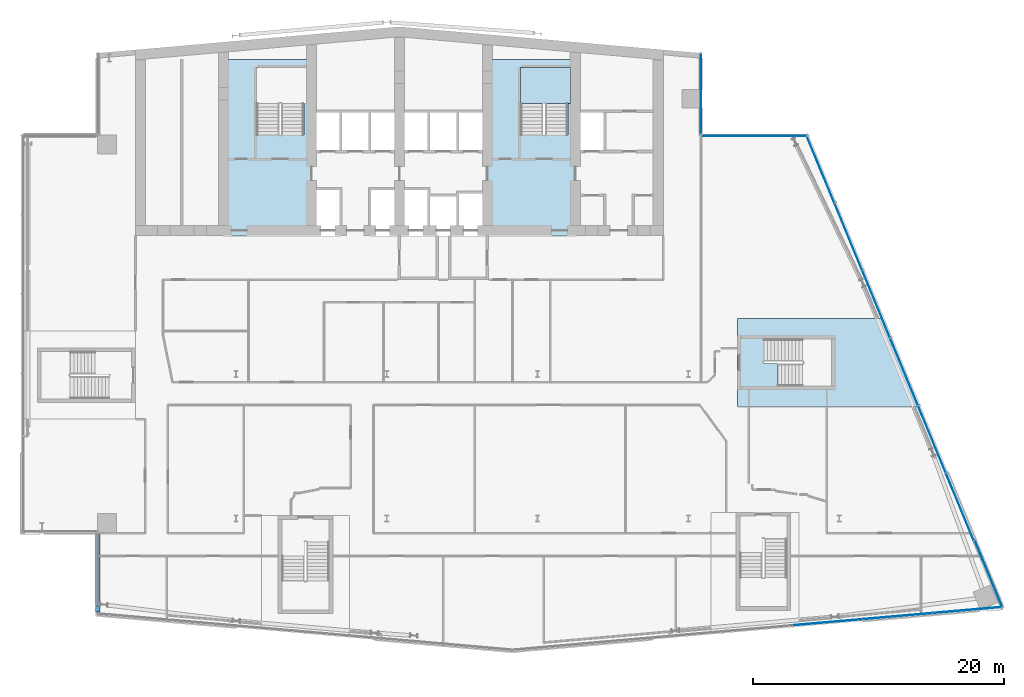
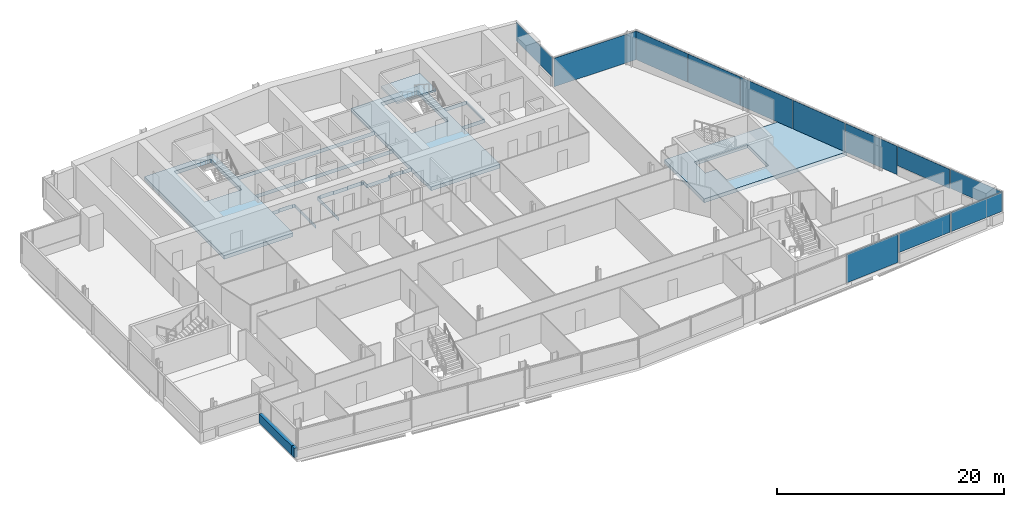
# One storey, part 14 of 24: 12 plates, 3 slabs, 2 walls, 5 elements without a shape of their own.
"""IFC4 building model written with IfcOpenShell, lengths in metres."""

from ifc_helpers import new_model, si_unit, direction, frame, frame_2d, origin, origin_2d, place, context, subcontext, project, spatial, polyline, rectangle, outline, extrude, material, layer, layer_set, type_object, element, aggregate, save


model = new_model("IFC4")

# Units and contexts
model_context = context("Model", 3, precision=1e-05, world=origin(), true_north=direction((0.0, 1.0)))
body_context = subcontext(model_context, "Body", "Model", "MODEL_VIEW")
ifc_project = project(units=[si_unit("LENGTHUNIT", "METRE"), si_unit("AREAUNIT", "SQUARE_METRE"), si_unit("VOLUMEUNIT", "CUBIC_METRE"), si_unit("PLANEANGLEUNIT", "RADIAN"), si_unit("MASSUNIT", "GRAM", prefix="KILO")], contexts=[model_context])

# Site, building, storey
site_placement = place(None, origin())
site = spatial("IfcSite", under=ifc_project, at=site_placement, CompositionType="ELEMENT")
building_placement = place(site_placement, origin())
building = spatial("IfcBuilding", under=site, at=building_placement, Name="Wharfspan Tower", CompositionType="ELEMENT")
storey_placement = place(building_placement, frame((0.0, 0.0, 198.699951)))
storey = spatial("IfcBuildingStorey", under=building, at=storey_placement, Name="L49", CompositionType="ELEMENT", Elevation=198.699951)

# Curtain wall, plates
ifc_material_1 = material(Name="Aluminium 6063-T6", Category="aluminium")
curtain_wall_type_1 = type_object("IfcCurtainWallType", Name="CURTAIN WALL FACETED FRONT", PredefinedType="NOTDEFINED", material=ifc_material_1)
curtain_wall_1_placement = place(storey_placement, origin())
curtain_wall_1 = element("IfcCurtainWall", 1, at=curtain_wall_1_placement, inside=storey, type_object=curtain_wall_type_1, Name="Curtain wall S2", PredefinedType="NOTDEFINED")
ifc_material_2 = material(Name="Glass clear low-iron double glazing", Category="glass")
ifc_layer_1 = layer(ifc_material_2, 0.040039)
ifc_layer_set_1 = layer_set([ifc_layer_1], Name="Glass clear low-iron double glazing")
plate_type_1 = type_object("IfcPlateType", Name="GLASS PANEL FACETED FRONT 40", PredefinedType="CURTAIN_PANEL", material=ifc_layer_set_1)
plate_1_placement = place(storey_placement, frame((76.637695, 3.728516, 1.0), z_axis=(0.0, 0.0, 1.0), x_axis=(0.996198, 0.087156, 0.0)))
plate_1 = element("IfcPlate", 2, at=plate_1_placement, type_object=plate_type_1, Name="Curtain wall S2 panel 6", PredefinedType="CURTAIN_PANEL", context=body_context, shape_type="SweptSolid", body=[
    extrude(rectangle(XDim=5.532715, YDim=0.040039, at=origin_2d()), origin(), (0.0, 0.0, 1.0), 2.070068),
])
plate_2_placement = place(storey_placement, frame((82.194092, 4.214844, 1.0), z_axis=(0.0, 0.0, 1.0), x_axis=(0.996198, 0.087156, 0.0)))
plate_2 = element("IfcPlate", 3, at=plate_2_placement, type_object=plate_type_1, Name="Curtain wall S2 panel 7", PredefinedType="CURTAIN_PANEL", context=body_context, shape_type="SweptSolid", body=[
    extrude(rectangle(XDim=5.502686, YDim=0.040039, at=origin_2d()), origin(), (0.0, 0.0, 1.0), 2.070068),
])

curtain_wall_type_2 = type_object("IfcCurtainWallType", Name="CURTAIN WALL PROW AND END", PredefinedType="NOTDEFINED", material=ifc_material_1)
curtain_wall_2_placement = place(storey_placement, origin())
curtain_wall_2 = element("IfcCurtainWall", 4, at=curtain_wall_2_placement, inside=storey, type_object=curtain_wall_type_2, Name="Curtain wall E", PredefinedType="NOTDEFINED")
ifc_layer_2 = layer(ifc_material_2, 0.040039)
ifc_layer_set_2 = layer_set([ifc_layer_2], Name="Glass clear low-iron double glazing")
plate_type_2 = type_object("IfcPlateType", Name="GLASS PANEL PROW AND END 40", PredefinedType="CURTAIN_PANEL", material=ifc_layer_set_2)
plate_3_placement = place(storey_placement, frame((83.885498, 7.099609, 1.0), z_axis=(0.0, 0.0, 1.0), x_axis=(-0.381602, 0.924325, 0.0)))
plate_3 = element("IfcPlate", 5, at=plate_3_placement, type_object=plate_type_2, Name="Curtain wall E panel 1", PredefinedType="CURTAIN_PANEL", context=body_context, shape_type="SweptSolid", body=[
    extrude(rectangle(XDim=5.721191, YDim=0.040039, at=origin_2d()), origin(), (0.0, 0.0, 1.0), 2.070068),
])
plate_4_placement = place(storey_placement, frame((81.599609, 12.426514, 1.0), z_axis=(0.0, 0.0, 1.0), x_axis=(-0.381602, 0.924325, 0.0)))
plate_4 = element("IfcPlate", 6, at=plate_4_placement, type_object=plate_type_2, Name="Curtain wall E panel 2", PredefinedType="CURTAIN_PANEL", context=body_context, shape_type="SweptSolid", body=[
    extrude(rectangle(XDim=5.751221, YDim=0.040039, at=origin_2d()), origin(), (0.0, 0.0, 1.0), 2.070068),
])

# Curtain wall, plate
curtain_wall_3_placement = place(storey_placement, origin())
curtain_wall_3 = element("IfcCurtainWall", 7, at=curtain_wall_3_placement, inside=storey, type_object=curtain_wall_type_2, Name="Curtain wall NRE-V", PredefinedType="NOTDEFINED")
plate_5_placement = place(storey_placement, frame((61.0, 45.262451, 1.0), z_axis=(0.0, 0.0, 1.0), x_axis=(0.0, 1.0, 0.0)))
plate_5 = element("IfcPlate", 8, at=plate_5_placement, type_object=plate_type_2, Name="Curtain wall NRE-V panel 1", PredefinedType="CURTAIN_PANEL", context=body_context, shape_type="SweptSolid", body=[
    extrude(rectangle(XDim=6.405029, YDim=0.040039, at=origin_2d()), origin(), (0.0, 0.0, 1.0), 2.070068),
])
aggregate(curtain_wall_3, [plate_5])

# Plate
ifc_material_3 = material(Name="Aluminium composite opaque insulated panel", Category="aluminium")
ifc_layer_3 = layer(ifc_material_3, 0.040039)
ifc_layer_set_3 = layer_set([ifc_layer_3], Name="Aluminium composite opaque insulated panel")
plate_type_3 = type_object("IfcPlateType", Name="INFILL PANEL FACETED FRONT OPAQUE 40", PredefinedType="SHEET", material=ifc_layer_set_3)
plate_6_placement = place(storey_placement, frame((71.066162, 3.241211, 0.0), z_axis=(0.0, 0.0, 1.0), x_axis=(0.996198, 0.087156, 0.0)))
plate_6 = element("IfcPlate", 9, at=plate_6_placement, type_object=plate_type_3, Name="Curtain wall S2 panel 5", PredefinedType="SHEET", context=body_context, shape_type="SweptSolid", body=[
    extrude(rectangle(XDim=5.532715, YDim=0.040039, at=origin_2d()), origin(), (0.0, 0.0, 1.0), 3.070068),
])

aggregate(curtain_wall_1, [plate_6, plate_1, plate_2])

ifc_layer_4 = layer(ifc_material_3, 0.040039)
ifc_layer_set_4 = layer_set([ifc_layer_4], Name="Aluminium composite opaque insulated panel")
plate_type_4 = type_object("IfcPlateType", Name="INFILL PANEL PROW AND END OPAQUE 40", PredefinedType="SHEET", material=ifc_layer_set_4)
plate_7_placement = place(storey_placement, frame((79.38208, 17.798096, 0.0), z_axis=(0.0, 0.0, 1.0), x_axis=(-0.381602, 0.924325, 0.0)))
plate_7 = element("IfcPlate", 10, at=plate_7_placement, type_object=plate_type_4, Name="Curtain wall E panel 3", PredefinedType="SHEET", context=body_context, shape_type="SweptSolid", body=[
    extrude(rectangle(XDim=5.751221, YDim=0.040039, at=origin_2d()), origin(), (0.0, 0.0, 1.0), 3.070068),
])

plate_8_placement = place(storey_placement, frame((77.164551, 23.169434, 0.0), z_axis=(0.0, 0.0, 1.0), x_axis=(-0.381602, 0.924325, 0.0)))
plate_8 = element("IfcPlate", 11, at=plate_8_placement, type_object=plate_type_4, Name="Curtain wall E panel 4", PredefinedType="SHEET", context=body_context, shape_type="SweptSolid", body=[
    extrude(rectangle(XDim=5.751221, YDim=0.040039, at=origin_2d()), origin(), (0.0, 0.0, 1.0), 3.070068),
])

plate_9_placement = place(storey_placement, frame((74.947021, 28.541016, 0.0), z_axis=(0.0, 0.0, 1.0), x_axis=(-0.381602, 0.924325, 0.0)))
plate_9 = element("IfcPlate", 12, at=plate_9_placement, type_object=plate_type_4, Name="Curtain wall E panel 5", PredefinedType="SHEET", context=body_context, shape_type="SweptSolid", body=[
    extrude(rectangle(XDim=5.751221, YDim=0.040039, at=origin_2d()), origin(), (0.0, 0.0, 1.0), 3.070068),
])

plate_10_placement = place(storey_placement, frame((72.729492, 33.912354, 0.0), z_axis=(0.0, 0.0, 1.0), x_axis=(-0.381602, 0.924325, 0.0)))
plate_10 = element("IfcPlate", 13, at=plate_10_placement, type_object=plate_type_4, Name="Curtain wall E panel 6", PredefinedType="SHEET", context=body_context, shape_type="SweptSolid", body=[
    extrude(rectangle(XDim=5.751221, YDim=0.040039, at=origin_2d()), origin(), (0.0, 0.0, 1.0), 3.070068),
])

plate_11_placement = place(storey_placement, frame((70.517578, 39.269775, 0.0), z_axis=(0.0, 0.0, 1.0), x_axis=(-0.381602, 0.924325, 0.0)))
plate_11 = element("IfcPlate", 14, at=plate_11_placement, type_object=plate_type_4, Name="Curtain wall E panel 7", PredefinedType="SHEET", context=body_context, shape_type="SweptSolid", body=[
    extrude(rectangle(XDim=5.721191, YDim=0.040039, at=origin_2d()), origin(), (0.0, 0.0, 1.0), 3.070068),
])

aggregate(curtain_wall_2, [plate_3, plate_4, plate_7, plate_8, plate_9, plate_10, plate_11])

# Curtain wall, plate
curtain_wall_4_placement = place(storey_placement, origin())
curtain_wall_4 = element("IfcCurtainWall", 15, at=curtain_wall_4_placement, inside=storey, type_object=curtain_wall_type_2, Name="Curtain wall NRE-H", PredefinedType="NOTDEFINED")
plate_12_placement = place(storey_placement, frame((65.238525, 41.919922, 0.0), z_axis=(0.0, 0.0, 1.0), x_axis=(-1.0, 0.0, 0.0)))
plate_12 = element("IfcPlate", 16, at=plate_12_placement, type_object=plate_type_4, Name="Curtain wall NRE-H panel 1", PredefinedType="SHEET", context=body_context, shape_type="SweptSolid", body=[
    extrude(rectangle(XDim=8.357178, YDim=0.040039, at=origin_2d()), origin(), (0.0, 0.0, 1.0), 3.070068),
])
aggregate(curtain_wall_4, [plate_12])

# Slabs
ifc_material_4 = material(Name="Concrete C40/50", Category="concrete")
ifc_layer_5 = layer(ifc_material_4, 0.399902)
ifc_layer_set_5 = layer_set([ifc_layer_5], Name="Concrete C40/50")
slab_type_1 = type_object("IfcSlabType", Name="Post-tensioned flat slab 400", PredefinedType="FLOOR", material=ifc_layer_set_5)
slab_1_placement = place(storey_placement, frame((0.0, 0.0, -0.400146)))
element("IfcSlab", 17, at=slab_1_placement, inside=storey, type_object=slab_type_1, Name="Core floor slab L49 part 3", PredefinedType="FLOOR", context=body_context, shape_type="SweptSolid", body=[
    extrude(outline(polyline([(23.0, 34.0), (29.998047, 34.0), (29.998047, 37.75), (29.998047, 37.750244), (29.998047, 37.750488), (29.998047, 37.750488), (29.998291, 37.750732), (29.998291, 37.750977), (29.998291, 37.751221), (29.998535, 37.751221), (29.998535, 37.751465), (29.998779, 37.751465), (29.998779, 37.751709), (29.999023, 37.751709), (29.999268, 37.751709), (29.999512, 37.751953), (29.999512, 37.751953), (29.999756, 37.751953), (30.0, 37.751953), (30.7146, 37.751953), (30.7146, 37.800049), (30.7146, 37.800293), (30.7146, 37.800293), (30.714844, 37.800537), (30.714844, 37.800781), (30.714844, 37.800781), (30.715088, 37.801025), (30.715088, 37.80127), (30.715332, 37.801514), (30.715332, 37.801514), (30.715576, 37.801758), (30.71582, 37.801758), (30.71582, 37.801758), (30.716064, 37.802002), (30.716309, 37.802002), (30.716553, 37.802002), (30.716797, 37.802002), (32.116699, 37.802002), (32.116943, 37.802002), (32.117188, 37.802002), (32.117188, 37.802002), (32.117432, 37.801758), (32.117676, 37.801758), (32.11792, 37.801758), (32.11792, 37.801514), (32.118164, 37.801514), (32.118164, 37.80127), (32.118408, 37.801025), (32.118408, 37.800781), (32.118408, 37.800781), (32.118652, 37.800537), (32.118652, 37.800293), (32.118652, 37.800293), (32.118652, 37.800049), (32.118652, 37.751953), (32.333252, 37.751953), (32.333496, 37.751953), (32.33374, 37.751953), (32.333984, 37.751953), (32.333984, 37.751709), (32.334229, 37.751709), (32.334473, 37.751709), (32.334717, 37.751465), (32.334717, 37.751465), (32.334961, 37.751221), (32.334961, 37.751221), (32.335205, 37.750977), (32.335205, 37.750732), (32.335205, 37.750488), (32.335205, 37.750488), (32.335205, 37.750244), (32.335205, 37.75), (32.335205, 34.0), (32.341309, 34.0), (32.341309, 37.758057), (32.126709, 37.758057), (32.126465, 37.758057), (32.126221, 37.758057), (32.126221, 37.758057), (32.125977, 37.758301), (32.125732, 37.758301), (32.125488, 37.758301), (32.125488, 37.758545), (32.125244, 37.758545), (32.125244, 37.758789), (32.125, 37.758789), (32.125, 37.759033), (32.125, 37.759277), (32.124756, 37.759521), (32.124756, 37.759521), (32.124756, 37.759766), (32.124756, 37.76001), (32.124756, 37.808105), (30.70874, 37.808105), (30.70874, 37.76001), (30.70874, 37.759766), (30.70874, 37.759521), (30.708496, 37.759521), (30.708496, 37.759277), (30.708496, 37.759033), (30.708496, 37.758789), (30.708252, 37.758789), (30.708008, 37.758545), (30.708008, 37.758545), (30.707764, 37.758301), (30.70752, 37.758301), (30.70752, 37.758301), (30.707275, 37.758057), (30.707031, 37.758057), (30.706787, 37.758057), (30.706787, 37.758057), (30.01001, 37.758057), (30.009766, 37.758057), (30.009521, 37.758057), (30.009521, 37.758057), (30.009277, 37.758301), (30.009033, 37.758301), (30.008789, 37.758301), (30.008789, 37.758545), (30.008545, 37.758545), (30.008545, 37.758789), (30.008301, 37.758789), (30.008301, 37.759033), (30.008301, 37.759277), (30.008057, 37.759521), (30.008057, 37.759521), (30.008057, 37.759766), (30.008057, 37.76001), (30.008057, 40.689941), (30.008057, 40.690186), (30.008057, 40.69043), (30.008057, 40.690674), (30.008301, 40.690918), (30.008301, 40.690918), (30.008301, 40.691162), (30.008545, 40.691406), (30.008545, 40.691406), (30.008789, 40.691406), (30.008789, 40.69165), (30.009033, 40.691895), (30.009277, 40.691895), (30.009521, 40.691895), (30.009521, 40.691895), (30.009766, 40.691895), (30.01001, 40.691895), (43.98999, 40.691895), (43.990234, 40.691895), (43.990479, 40.691895), (43.990479, 40.691895), (43.990723, 40.691895), (43.990967, 40.691895), (43.991211, 40.69165), (43.991211, 40.691406), (43.991455, 40.691406), (43.991455, 40.691406), (43.991699, 40.691162), (43.991699, 40.690918), (43.991699, 40.690918), (43.991943, 40.690674), (43.991943, 40.69043), (43.991943, 40.690186), (43.991943, 40.689941), (43.991943, 37.459961), (43.991943, 37.459717), (43.991943, 37.459717), (43.991943, 37.459473), (43.991699, 37.459229), (43.991699, 37.458984), (43.991699, 37.458984), (43.991455, 37.45874), (43.991455, 37.458496), (43.991211, 37.458496), (43.991211, 37.458252), (43.990967, 37.458252), (43.990723, 37.458252), (43.990479, 37.458008), (43.990479, 37.458008), (43.990234, 37.458008), (43.98999, 37.458008), (43.143311, 37.458008), (43.143066, 37.458008), (43.142822, 37.458008), (43.142578, 37.458008), (43.142578, 37.458252), (43.142334, 37.458252), (43.14209, 37.458252), (43.14209, 37.458496), (43.141846, 37.458496), (43.141846, 37.45874), (43.141602, 37.458984), (43.141602, 37.458984), (43.141602, 37.459229), (43.141357, 37.459473), (43.141357, 37.459717), (43.141357, 37.459717), (43.141357, 37.459961), (43.141357, 37.508057), (42.025391, 37.508057), (42.025391, 37.459961), (42.025391, 37.459717), (42.025391, 37.459717), (42.025146, 37.459473), (42.025146, 37.459229), (42.025146, 37.458984), (42.024902, 37.458984), (42.024902, 37.45874), (42.024658, 37.458496), (42.024658, 37.458496), (42.024414, 37.458252), (42.02417, 37.458252), (42.02417, 37.458252), (42.023926, 37.458008), (42.023682, 37.458008), (42.023438, 37.458008), (42.023193, 37.458008), (41.658691, 37.458008), (41.658691, 37.209961), (41.658691, 37.209717), (41.658691, 37.209717), (41.658691, 37.209473), (41.658447, 37.209229), (41.658447, 37.208984), (41.658447, 37.208984), (41.658203, 37.20874), (41.658203, 37.208496), (41.657959, 37.208496), (41.657715, 37.208252), (41.657715, 37.208252), (41.657471, 37.208252), (41.657227, 37.208008), (41.656982, 37.208008), (41.656982, 37.208008), (41.656738, 37.208008), (39.343262, 37.208008), (39.343018, 37.208008), (39.343018, 37.208008), (39.342773, 37.208008), (39.342529, 37.208252), (39.342285, 37.208252), (39.342285, 37.208252), (39.342041, 37.208496), (39.341797, 37.208496), (39.341797, 37.20874), (39.341553, 37.208984), (39.341553, 37.208984), (39.341553, 37.209229), (39.341309, 37.209473), (39.341309, 37.209717), (39.341309, 37.209717), (39.341309, 37.209961), (39.341309, 37.758057), (39.166748, 37.758057), (39.166504, 37.758057), (39.16626, 37.758057), (39.166016, 37.758057), (39.166016, 37.758301), (39.165771, 37.758301), (39.165527, 37.758301), (39.165283, 37.758545), (39.165283, 37.758545), (39.165283, 37.758789), (39.165039, 37.758789), (39.164795, 37.759033), (39.164795, 37.759277), (39.164795, 37.759521), (39.164795, 37.759521), (39.164795, 37.759766), (39.164795, 37.76001), (39.164795, 37.808105), (37.668701, 37.808105), (37.668701, 37.76001), (37.668701, 37.759766), (37.668701, 37.759521), (37.668701, 37.759521), (37.668457, 37.759277), (37.668457, 37.759033), (37.668457, 37.758789), (37.668213, 37.758789), (37.668213, 37.758545), (37.667969, 37.758545), (37.667725, 37.758301), (37.66748, 37.758301), (37.66748, 37.758301), (37.667236, 37.758057), (37.666992, 37.758057), (37.666992, 37.758057), (37.666748, 37.758057), (36.293213, 37.758057), (36.293213, 37.758057), (36.292969, 37.758057), (36.292725, 37.758057), (36.29248, 37.758301), (36.29248, 37.758301), (36.292236, 37.758301), (36.291992, 37.758545), (36.291992, 37.758545), (36.291748, 37.758789), (36.291504, 37.758789), (36.291504, 37.759033), (36.291504, 37.759277), (36.291504, 37.759521), (36.29126, 37.759521), (36.29126, 37.759766), (36.29126, 37.76001), (36.29126, 37.808105), (34.875244, 37.808105), (34.875244, 37.76001), (34.875244, 37.759766), (34.875244, 37.759521), (34.875244, 37.759521), (34.875, 37.759277), (34.875, 37.759033), (34.875, 37.758789), (34.874756, 37.758789), (34.874756, 37.758545), (34.874512, 37.758545), (34.874512, 37.758301), (34.874268, 37.758301), (34.874023, 37.758301), (34.873779, 37.758057), (34.873779, 37.758057), (34.873535, 37.758057), (34.873291, 37.758057), (34.658691, 37.758057), (34.658691, 34.0), (34.664795, 34.0), (34.664795, 37.75), (34.664795, 37.750244), (34.664795, 37.750488), (34.664795, 37.750488), (34.664795, 37.750732), (34.664795, 37.750977), (34.665039, 37.751221), (34.665039, 37.751221), (34.665283, 37.751465), (34.665283, 37.751465), (34.665527, 37.751709), (34.665771, 37.751709), (34.666016, 37.751709), (34.666016, 37.751953), (34.66626, 37.751953), (34.666504, 37.751953), (34.666748, 37.751953), (34.881348, 37.751953), (34.881348, 37.800049), (34.881348, 37.800293), (34.881348, 37.800293), (34.881348, 37.800537), (34.881592, 37.800781), (34.881592, 37.800781), (34.881592, 37.801025), (34.881836, 37.80127), (34.881836, 37.801514), (34.88208, 37.801514), (34.88208, 37.801758), (34.882324, 37.801758), (34.882568, 37.801758), (34.882812, 37.802002), (34.882812, 37.802002), (34.883057, 37.802002), (34.883301, 37.802002), (36.283203, 37.802002), (36.283447, 37.802002), (36.283691, 37.802002), (36.283936, 37.802002), (36.28418, 37.801758), (36.28418, 37.801758), (36.284424, 37.801758), (36.284668, 37.801514), (36.284668, 37.801514), (36.284912, 37.80127), (36.284912, 37.801025), (36.285156, 37.800781), (36.285156, 37.800781), (36.285156, 37.800537), (36.2854, 37.800293), (36.2854, 37.800293), (36.2854, 37.800049), (36.2854, 37.751953), (37.674805, 37.751953), (37.674805, 37.800049), (37.674805, 37.800293), (37.674805, 37.800293), (37.674805, 37.800537), (37.674805, 37.800781), (37.674805, 37.800781), (37.675049, 37.801025), (37.675049, 37.80127), (37.675293, 37.801514), (37.675293, 37.801514), (37.675537, 37.801758), (37.675781, 37.801758), (37.675781, 37.801758), (37.676025, 37.802002), (37.67627, 37.802002), (37.676514, 37.802002), (37.676758, 37.802002), (39.156738, 37.802002), (39.156982, 37.802002), (39.156982, 37.802002), (39.157227, 37.802002), (39.157471, 37.801758), (39.157715, 37.801758), (39.157715, 37.801758), (39.157959, 37.801514), (39.158203, 37.801514), (39.158203, 37.80127), (39.158203, 37.801025), (39.158447, 37.800781), (39.158447, 37.800781), (39.158691, 37.800537), (39.158691, 37.800293), (39.158691, 37.800293), (39.158691, 37.800049), (39.158691, 37.751953), (39.333252, 37.751953), (39.333496, 37.751953), (39.33374, 37.751953), (39.333984, 37.751953), (39.333984, 37.751709), (39.334229, 37.751709), (39.334473, 37.751709), (39.334717, 37.751465), (39.334717, 37.751465), (39.334961, 37.751221), (39.334961, 37.751221), (39.335205, 37.750977), (39.335205, 37.750732), (39.335205, 37.750488), (39.335205, 37.750488), (39.335205, 37.750244), (39.335205, 37.75), (39.335205, 37.201904), (41.664795, 37.201904), (41.664795, 37.449951), (41.664795, 37.450195), (41.664795, 37.450439), (41.664795, 37.450684), (41.664795, 37.450684), (41.664795, 37.450928), (41.665039, 37.451172), (41.665039, 37.451416), (41.665283, 37.451416), (41.665283, 37.451416), (41.665527, 37.45166), (41.665771, 37.451904), (41.666016, 37.451904), (41.666016, 37.451904), (41.66626, 37.451904), (41.666504, 37.451904), (41.666748, 37.451904), (42.03125, 37.451904), (42.03125, 37.5), (42.03125, 37.500244), (42.031494, 37.500488), (42.031494, 37.500488), (42.031494, 37.500732), (42.031494, 37.500977), (42.031738, 37.501221), (42.031738, 37.501221), (42.031982, 37.501465), (42.031982, 37.501465), (42.032227, 37.501709), (42.032471, 37.501709), (42.032715, 37.501709), (42.032715, 37.501953), (42.032959, 37.501953), (42.033203, 37.501953), (42.033203, 37.501953), (43.133301, 37.501953), (43.133545, 37.501953), (43.133789, 37.501953), (43.133789, 37.501953), (43.134033, 37.501709), (43.134277, 37.501709), (43.134521, 37.501709), (43.134521, 37.501465), (43.134766, 37.501465), (43.13501, 37.501221), (43.13501, 37.501221), (43.13501, 37.500977), (43.135254, 37.500732), (43.135254, 37.500488), (43.135254, 37.500488), (43.135254, 37.500244), (43.135254, 37.5), (43.135254, 37.451904), (44.0, 37.451904), (44.000244, 37.451904), (44.000488, 37.451904), (44.000488, 37.451904), (44.000732, 37.451904), (44.000977, 37.451904), (44.001221, 37.45166), (44.001221, 37.451416), (44.001465, 37.451416), (44.001465, 37.451416), (44.001709, 37.451172), (44.001709, 37.450928), (44.001709, 37.450684), (44.001953, 37.450684), (44.001953, 37.450439), (44.001953, 37.450195), (44.001953, 37.449951), (44.001953, 34.0), (51.0, 34.0), (51.008057, 34.0), (51.008057, 40.689941), (51.008057, 40.690186), (51.008057, 40.69043), (51.008057, 40.690674), (51.008301, 40.690918), (51.008301, 40.690918), (51.008301, 40.691162), (51.008545, 40.691406), (51.008545, 40.691406), (51.008789, 40.691406), (51.008789, 40.69165), (51.009033, 40.691895), (51.009277, 40.691895), (51.009521, 40.691895), (51.009521, 40.691895), (51.009766, 40.691895), (51.01001, 40.691895), (53.341309, 40.691895), (53.341309, 43.907959), (51.01001, 43.907959), (51.009766, 43.907959), (51.009521, 43.907959), (51.009521, 43.908203), (51.009277, 43.908203), (51.009033, 43.908203), (51.008789, 43.908203), (51.008789, 43.908447), (51.008545, 43.908691), (51.008545, 43.908691), (51.008301, 43.908936), (51.008301, 43.90918), (51.008301, 43.90918), (51.008057, 43.909424), (51.008057, 43.909668), (51.008057, 43.909912), (51.008057, 43.909912), (51.008057, 48.008057), (43.991943, 48.008057), (43.991943, 43.909912), (43.991943, 43.909912), (43.991943, 43.909668), (43.991943, 43.909424), (43.991699, 43.90918), (43.991699, 43.90918), (43.991699, 43.908936), (43.991455, 43.908691), (43.991455, 43.908691), (43.991211, 43.908447), (43.991211, 43.908203), (43.990967, 43.908203), (43.990723, 43.908203), (43.990479, 43.908203), (43.990479, 43.907959), (43.990234, 43.907959), (43.98999, 43.907959), (30.01001, 43.907959), (30.009766, 43.907959), (30.009521, 43.907959), (30.009521, 43.908203), (30.009277, 43.908203), (30.009033, 43.908203), (30.008789, 43.908203), (30.008789, 43.908447), (30.008545, 43.908691), (30.008545, 43.908691), (30.008301, 43.908936), (30.008301, 43.90918), (30.008301, 43.90918), (30.008057, 43.909424), (30.008057, 43.909668), (30.008057, 43.909912), (30.008057, 43.909912), (30.008057, 48.008057), (22.991943, 48.008057), (22.991943, 34.0), (23.0, 34.0)]), holes=[polyline([(53.333252, 43.9021), (53.333496, 43.9021), (53.33374, 43.9021), (53.333984, 43.901855), (53.333984, 43.901855), (53.334229, 43.901855), (53.334473, 43.901611), (53.334717, 43.901611), (53.334717, 43.901367), (53.334961, 43.901367), (53.334961, 43.901123), (53.335205, 43.900879), (53.335205, 43.900879), (53.335205, 43.900635), (53.335205, 43.900391), (53.335205, 43.900146), (53.335205, 43.899902), (53.335205, 40.699951), (53.335205, 40.699707), (53.335205, 40.699707), (53.335205, 40.699463), (53.335205, 40.699219), (53.335205, 40.699219), (53.334961, 40.698975), (53.334961, 40.69873), (53.334717, 40.698486), (53.334717, 40.698486), (53.334473, 40.698242), (53.334229, 40.698242), (53.333984, 40.698242), (53.333984, 40.697998), (53.33374, 40.697998), (53.333496, 40.697998), (53.333252, 40.697998), (51.0, 40.697998), (50.999756, 40.697998), (50.999512, 40.697998), (50.999512, 40.697998), (50.999268, 40.698242), (50.999023, 40.698242), (50.998779, 40.698242), (50.998779, 40.698486), (50.998535, 40.698486), (50.998535, 40.69873), (50.998291, 40.698975), (50.998291, 40.699219), (50.998291, 40.699219), (50.998047, 40.699463), (50.998047, 40.699707), (50.998047, 40.699707), (50.998047, 40.699951), (50.998047, 43.899902), (50.998047, 43.900146), (50.998047, 43.900391), (50.998047, 43.900635), (50.998291, 43.900879), (50.998291, 43.900879), (50.998291, 43.901123), (50.998535, 43.901367), (50.998535, 43.901367), (50.998779, 43.901611), (50.998779, 43.901611), (50.999023, 43.901855), (50.999268, 43.901855), (50.999512, 43.901855), (50.999512, 43.9021), (50.999756, 43.9021), (51.0, 43.9021), (53.333252, 43.9021)]), polyline([(46.649902, 41.998047), (46.649902, 41.998047), (46.649658, 41.998047), (46.649414, 41.998047), (46.64917, 41.998291), (46.64917, 41.998291), (46.648926, 41.998291), (46.648682, 41.998535), (46.648682, 41.998535), (46.648438, 41.998779), (46.648193, 41.998779), (46.648193, 41.999023), (46.648193, 41.999268), (46.648193, 41.999512), (46.647949, 41.999512), (46.647949, 41.999756), (46.647949, 42.0), (46.647949, 47.399902), (46.647949, 47.400146), (46.647949, 47.400391), (46.648193, 47.400635), (46.648193, 47.400879), (46.648193, 47.400879), (46.648193, 47.401123), (46.648438, 47.401367), (46.648682, 47.401367), (46.648682, 47.401611), (46.648926, 47.401611), (46.64917, 47.401855), (46.64917, 47.401855), (46.649414, 47.401855), (46.649658, 47.4021), (46.649902, 47.4021), (46.649902, 47.4021), (50.399902, 47.4021), (50.400146, 47.4021), (50.400391, 47.4021), (50.400635, 47.401855), (50.400879, 47.401855), (50.400879, 47.401855), (50.401123, 47.401611), (50.401367, 47.401611), (50.401367, 47.401367), (50.401611, 47.401367), (50.401611, 47.401123), (50.401855, 47.400879), (50.401855, 47.400879), (50.401855, 47.400635), (50.4021, 47.400391), (50.4021, 47.400146), (50.4021, 47.399902), (50.4021, 42.0), (50.4021, 41.999756), (50.4021, 41.999512), (50.401855, 41.999512), (50.401855, 41.999268), (50.401855, 41.999023), (50.401611, 41.998779), (50.401611, 41.998779), (50.401367, 41.998535), (50.401367, 41.998535), (50.401123, 41.998291), (50.400879, 41.998291), (50.400879, 41.998291), (50.400635, 41.998047), (50.400391, 41.998047), (50.400146, 41.998047), (50.399902, 41.998047), (46.649902, 41.998047)]), polyline([(44.0, 43.9021), (44.000244, 43.9021), (44.000488, 43.9021), (44.000488, 43.901855), (44.000732, 43.901855), (44.000977, 43.901855), (44.001221, 43.901611), (44.001221, 43.901611), (44.001465, 43.901367), (44.001465, 43.901367), (44.001709, 43.901123), (44.001709, 43.900879), (44.001709, 43.900879), (44.001953, 43.900635), (44.001953, 43.900391), (44.001953, 43.900146), (44.001953, 43.899902), (44.001953, 40.699951), (44.001953, 40.699707), (44.001953, 40.699707), (44.001953, 40.699463), (44.001709, 40.699219), (44.001709, 40.699219), (44.001709, 40.698975), (44.001465, 40.69873), (44.001465, 40.698486), (44.001221, 40.698486), (44.001221, 40.698242), (44.000977, 40.698242), (44.000732, 40.698242), (44.000488, 40.697998), (44.000488, 40.697998), (44.000244, 40.697998), (44.0, 40.697998), (30.0, 40.697998), (29.999756, 40.697998), (29.999512, 40.697998), (29.999512, 40.697998), (29.999268, 40.698242), (29.999023, 40.698242), (29.998779, 40.698242), (29.998779, 40.698486), (29.998535, 40.698486), (29.998535, 40.69873), (29.998291, 40.698975), (29.998291, 40.699219), (29.998291, 40.699219), (29.998047, 40.699463), (29.998047, 40.699707), (29.998047, 40.699707), (29.998047, 40.699951), (29.998047, 43.899902), (29.998047, 43.900146), (29.998047, 43.900391), (29.998047, 43.900635), (29.998291, 43.900879), (29.998291, 43.900879), (29.998291, 43.901123), (29.998535, 43.901367), (29.998535, 43.901367), (29.998779, 43.901611), (29.998779, 43.901611), (29.999023, 43.901855), (29.999268, 43.901855), (29.999512, 43.901855), (29.999512, 43.9021), (29.999756, 43.9021), (30.0, 43.9021), (44.0, 43.9021)]), polyline([(29.4021, 42.0), (29.4021, 41.999756), (29.4021, 41.999512), (29.401855, 41.999512), (29.401855, 41.999268), (29.401855, 41.999023), (29.401611, 41.998779), (29.401611, 41.998779), (29.401367, 41.998535), (29.401367, 41.998535), (29.401123, 41.998291), (29.400879, 41.998291), (29.400879, 41.998291), (29.400635, 41.998047), (29.400391, 41.998047), (29.400146, 41.998047), (29.399902, 41.998047), (25.649902, 41.998047), (25.649902, 41.998047), (25.649658, 41.998047), (25.649414, 41.998047), (25.64917, 41.998291), (25.64917, 41.998291), (25.648926, 41.998291), (25.648682, 41.998535), (25.648682, 41.998535), (25.648438, 41.998779), (25.648193, 41.998779), (25.648193, 41.999023), (25.648193, 41.999268), (25.648193, 41.999512), (25.647949, 41.999512), (25.647949, 41.999756), (25.647949, 42.0), (25.647949, 47.399902), (25.647949, 47.400146), (25.647949, 47.400391), (25.648193, 47.400635), (25.648193, 47.400879), (25.648193, 47.400879), (25.648193, 47.401123), (25.648438, 47.401367), (25.648682, 47.401367), (25.648682, 47.401611), (25.648926, 47.401611), (25.64917, 47.401855), (25.64917, 47.401855), (25.649414, 47.401855), (25.649658, 47.4021), (25.649902, 47.4021), (25.649902, 47.4021), (29.399902, 47.4021), (29.400146, 47.4021), (29.400391, 47.4021), (29.400635, 47.401855), (29.400879, 47.401855), (29.400879, 47.401855), (29.401123, 47.401611), (29.401367, 47.401611), (29.401367, 47.401367), (29.401611, 47.401367), (29.401611, 47.401123), (29.401855, 47.400879), (29.401855, 47.400879), (29.401855, 47.400635), (29.4021, 47.400391), (29.4021, 47.400146), (29.4021, 47.399902), (29.4021, 42.0)])]), origin(), (0.0, 0.0, 1.0), 0.400146),
])
slab_2_placement = place(storey_placement, frame((0.0, 0.0, -0.400146)))
element("IfcSlab", 18, at=slab_2_placement, inside=storey, type_object=slab_type_1, Name="Core floor slab L49 part 5", PredefinedType="FLOOR", context=body_context, shape_type="SweptSolid", body=[
    extrude(outline(polyline([(78.394531, 20.399902), (75.504639, 27.399902), (63.904541, 27.399902), (63.904541, 20.399902), (78.394531, 20.399902)]), holes=[polyline([(66.004395, 22.022949), (66.00415, 22.022949), (66.003906, 22.023193), (66.003906, 22.023193), (66.003662, 22.023193), (66.003418, 22.023193), (66.003418, 22.023438), (66.003174, 22.023682), (66.00293, 22.023682), (66.00293, 22.023926), (66.002686, 22.023926), (67.125488, 22.023926), (67.125488, 23.825928), (66.002686, 23.825928), (66.002686, 25.774902), (66.002686, 25.775146), (66.002686, 25.775391), (66.002686, 25.775635), (66.002686, 25.775879), (66.002686, 25.775879), (66.00293, 25.776123), (66.00293, 25.776367), (66.003174, 25.776367), (66.003418, 25.776611), (66.003418, 25.776611), (66.003662, 25.776855), (66.003906, 25.776855), (66.003906, 25.776855), (66.00415, 25.7771), (66.004395, 25.7771), (66.004639, 25.7771), (71.404541, 25.7771), (71.404785, 25.7771), (71.405029, 25.7771), (71.405273, 25.776855), (71.405518, 25.776855), (71.405518, 25.776855), (71.405762, 25.776611), (71.406006, 25.776611), (71.406006, 25.776367), (71.406006, 25.776367), (71.40625, 25.776123), (71.406494, 25.775879), (71.406494, 25.775879), (71.406494, 25.775635), (71.406494, 25.775391), (71.406494, 25.775146), (71.406494, 25.774902), (71.406494, 22.024902), (71.406494, 22.024902), (71.406494, 22.024658), (71.406494, 22.024414), (71.406494, 22.02417), (71.406494, 22.02417), (71.40625, 22.023926), (71.406006, 22.023682), (71.406006, 22.023682), (71.406006, 22.023438), (71.405762, 22.023193), (71.405518, 22.023193), (71.405518, 22.023193), (71.405273, 22.023193), (71.405029, 22.022949), (71.404785, 22.022949), (71.404541, 22.022949), (66.004639, 22.022949), (66.004395, 22.022949)])]), origin(), (0.0, 0.0, 1.0), 0.400146),
])

# Stair, slab
stair_type = type_object("IfcStairType", Name="Half-turn stair 20 risers 180 mm", PredefinedType="HALF_TURN_STAIR", material=ifc_material_4)
stair_placement = place(storey_placement, origin())
stair = element("IfcStair", 19, at=stair_placement, inside=storey, type_object=stair_type, Name="L49 stair ST2", PredefinedType="HALF_TURN_STAIR")
ifc_layer_6 = layer(ifc_material_4, 0.199951)
ifc_layer_set_6 = layer_set([ifc_layer_6], Name="Concrete C40/50")
slab_type_2 = type_object("IfcSlabType", Name="Stair landing 200", PredefinedType="LANDING", material=ifc_layer_set_6)
slab_3_placement = place(storey_placement, frame((0.0, 0.0, 1.599854)))
slab_3 = element("IfcSlab", 20, at=slab_3_placement, type_object=slab_type_2, Name="ST2 landing 1", PredefinedType="LANDING", context=body_context, shape_type="SweptSolid", body=[
    extrude(outline(polyline([(46.649902, 44.52002), (50.600098, 44.52002), (50.600098, 47.399902), (46.649902, 47.399902), (46.649902, 44.52002)])), origin(), (0.0, 0.0, 1.0), 0.200195),
])
aggregate(stair, [slab_3])

# Walls
ifc_layer_7 = layer(ifc_material_4, 0.350098)
ifc_layer_set_7 = layer_set([ifc_layer_7], Name="Concrete C40/50")
wall_type = type_object("IfcWallType", Name="SPANDREL EXPOSED CONCRETE 350", PredefinedType="SOLIDWALL", material=ifc_layer_set_7)
wall_1_placement = place(storey_placement, frame((12.995117, 10.219971, 0.0), z_axis=(0.0, 0.0, 1.0), x_axis=(0.0, -1.0, 0.0)))
element("IfcWall", 21, at=wall_1_placement, inside=storey, type_object=wall_type, Name="Spandrel upstand L49 NFW-V", PredefinedType="SOLIDWALL", context=body_context, shape_type="SweptSolid", body=[
    extrude(rectangle(XDim=5.693359, YDim=0.350098, at=frame_2d((2.84668, 0.0))), origin(), (0.0, 0.0, 1.0), 1.0),
])
wall_2_placement = place(storey_placement, frame((12.995117, 4.512451, 0.0), z_axis=(0.0, 0.0, 1.0), x_axis=(0.0, -1.0, 0.0)))
element("IfcWall", 22, at=wall_2_placement, inside=storey, type_object=wall_type, Name="Spandrel upstand L49 NFW-V 2", PredefinedType="SOLIDWALL", context=body_context, shape_type="SweptSolid", body=[
    extrude(rectangle(XDim=0.453613, YDim=0.350098, at=frame_2d((0.226807, 0.0))), origin(), (0.0, 0.0, 1.0), 1.0),
])

save(model, "model.ifc")
